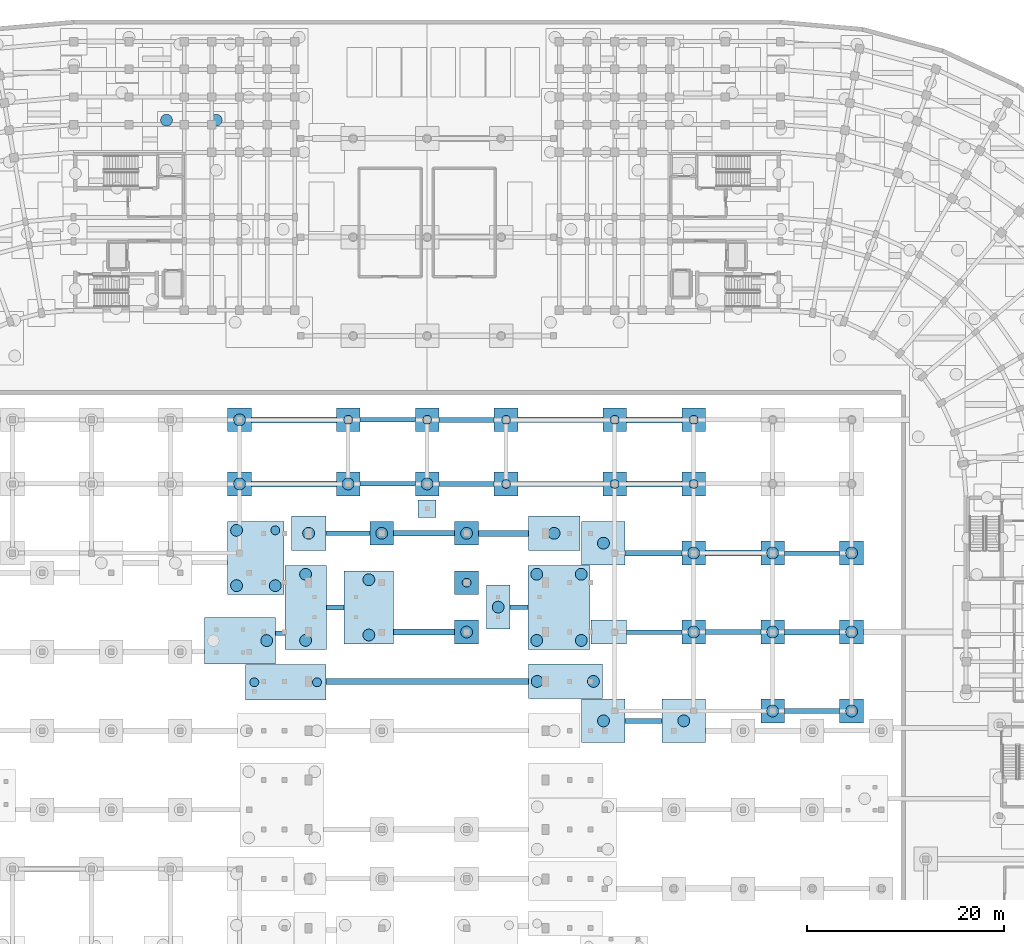
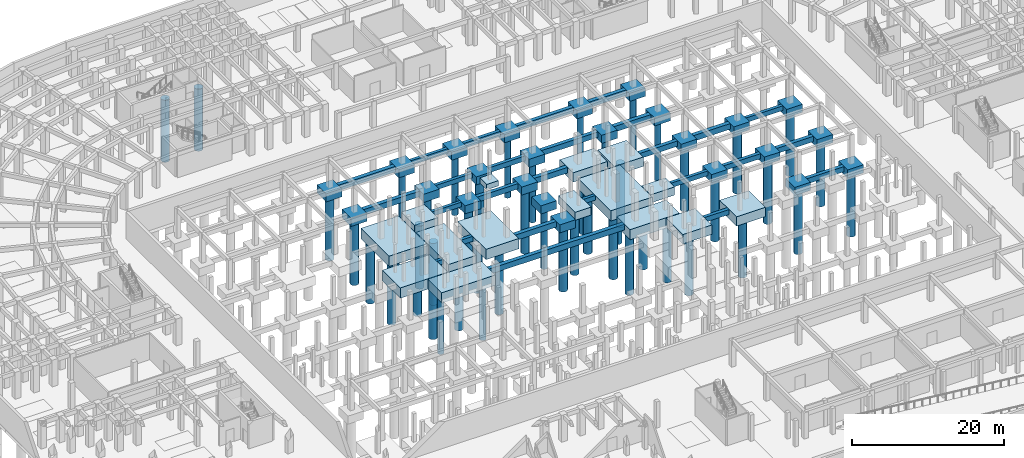
# One storey, part 8 of 53: 65 footings, 49 piles.
"""IFC4 building model written with IfcOpenShell, lengths in metres."""

from ifc_helpers import new_model, si_unit, direction, frame, origin, origin_2d, place, context, subcontext, project, spatial, rectangle, circle, extrude, material, material_profile, profile_set, type_object, element, save


model = new_model("IFC4")

# Units and contexts
model_context = context("Model", 3, precision=1e-05, world=origin(), true_north=direction((0.0, 1.0)))
body_context = subcontext(model_context, "Body", "Model", "MODEL_VIEW")
ifc_project = project(units=[si_unit("LENGTHUNIT", "METRE"), si_unit("AREAUNIT", "SQUARE_METRE"), si_unit("VOLUMEUNIT", "CUBIC_METRE"), si_unit("PLANEANGLEUNIT", "RADIAN"), si_unit("MASSUNIT", "GRAM", prefix="KILO")], contexts=[model_context])

# Site, building, storey
site_placement = place(None, origin())
site = spatial("IfcSite", under=ifc_project, at=site_placement, CompositionType="ELEMENT")
building_placement = place(site_placement, origin())
building = spatial("IfcBuilding", under=site, at=building_placement, Name="Kiranvali Square Residences", CompositionType="ELEMENT")
storey_placement = place(building_placement, frame((0.0, 0.0, -4.5)))
storey = spatial("IfcBuildingStorey", under=building, at=storey_placement, Name="B1", CompositionType="ELEMENT", Elevation=-4.5)

# Footings
ifc_material = material(Name="Concrete M40 (40 MPa)", Category="concrete")
footing_type_1 = type_object("IfcFootingType", Name="FTG-PAD_FOOTING-180x180x85", PredefinedType="PAD_FOOTING", material=ifc_material)
footing_1_placement = place(storey_placement, frame((84.0, 86.5, -1.35009765625), z_axis=(0.0, 0.0, 1.0), x_axis=(1.0, 0.0, 0.0)))
element("IfcFooting", 1, at=footing_1_placement, inside=storey, type_object=footing_type_1, Name="B1 pad footing 228", PredefinedType="PAD_FOOTING", context=body_context, shape_type="SweptSolid", body=[
    extrude(rectangle(XDim=1.800048828125, YDim=1.800048828125, at=origin_2d()), origin(), (0.0, 0.0, 1.0), 0.85009765625),
])
footing_type_2 = type_object("IfcFootingType", Name="FTG-PILE_CAP-240x240x130", PredefinedType="PILE_CAP", material=ifc_material)
for number, where, z_axis, x_axis, name in (
    (2, (119.0, 66.0, -1.7998046875), (0.0, 0.0, 1.0), (1.0, 0.0, 0.0), "B1 pile cap 170"),
    (3, (127.0, 66.0, -1.7998046875), (0.0, 0.0, 1.0), (1.0, 0.0, 0.0), "B1 pile cap 171"),
    (4, (88.0, 74.0, -1.7998046875), (0.0, 0.0, 1.0), (1.0, 0.0, 0.0), "B1 pile cap 197"),
    (5, (111.0, 74.0, -1.7998046875), (0.0, 0.0, 1.0), (1.0, 0.0, 0.0), "B1 pile cap 199"),
    (6, (119.0, 74.0, -1.7998046875), (0.0, 0.0, 1.0), (1.0, 0.0, 0.0), "B1 pile cap 200"),
    (7, (127.0, 74.0, -1.7998046875), (0.0, 0.0, 1.0), (1.0, 0.0, 0.0), "B1 pile cap 201"),
    (8, (88.0, 79.0, -1.7998046875), (0.0, 0.0, 1.0), (1.0, 0.0, 0.0), "B1 pile cap 204"),
    (9, (111.0, 82.0, -1.7998046875), (0.0, 0.0, 1.0), (1.0, 0.0, 0.0), "B1 pile cap 211"),
    (10, (119.0, 82.0, -1.7998046875), (0.0, 0.0, 1.0), (1.0, 0.0, 0.0), "B1 pile cap 212"),
    (11, (127.0, 82.0, -1.7998046875), (0.0, 0.0, 1.0), (1.0, 0.0, 0.0), "B1 pile cap 213"),
    (12, (79.39990234375, 84.0, -1.7998046875), (0.0, 0.0, 1.0), (1.0, 0.0, 0.0), "B1 pile cap 226"),
    (13, (88.0, 84.0, -1.7998046875), (0.0, 0.0, 1.0), (1.0, 0.0, 0.0), "B1 pile cap 227"),
    (14, (65.0, 89.0, -1.7998046875), (0.0, 0.0, 1.0), (1.0, 0.0, 0.0), "B1 pile cap 240"),
    (15, (76.0, 89.0, -1.7998046875), (0.0, 0.0, 1.0), (1.0, 0.0, 0.0), "B1 pile cap 241"),
    (16, (84.0, 89.0, -1.7998046875), (0.0, 0.0, 1.0), (1.0, 0.0, 0.0), "B1 pile cap 242"),
    (17, (92.0, 89.0, -1.7998046875), (0.0, 0.0, 1.0), (1.0, 0.0, 0.0), "B1 pile cap 243"),
    (18, (103.0, 89.0, -1.7998046875), (0.0, 0.0, 1.0), (1.0, 0.0, 0.0), "B1 pile cap 244"),
    (19, (111.0, 89.0, -1.7998046875), (0.0, 0.0, 1.0), (1.0, 0.0, 0.0), "B1 pile cap 245"),
    (20, (65.0, 95.5, -1.7998046875), (0.0, 0.0, 1.0), (1.0, 0.0, 0.0), "B1 pile cap 261"),
    (21, (76.0, 95.5, -1.7998046875), (0.0, 0.0, 1.0), (1.0, 0.0, 0.0), "B1 pile cap 262"),
    (22, (84.0, 95.5, -1.7998046875), (0.0, 0.0, 1.0), (1.0, 0.0, 0.0), "B1 pile cap 263"),
    (23, (92.0, 95.5, -1.7998046875), (0.0, 0.0, 1.0), (1.0, 0.0, 0.0), "B1 pile cap 264"),
    (24, (103.0, 95.5, -1.7998046875), (0.0, 0.0, 1.0), (1.0, 0.0, 0.0), "B1 pile cap 265"),
    (25, (111.0, 95.5, -1.7998046875), (0.0, 0.0, 1.0), (1.0, 0.0, 0.0), "B1 pile cap 266"),
):
    element("IfcFooting", number, at=place(storey_placement, frame(where, z_axis=z_axis, x_axis=x_axis)), inside=storey, type_object=footing_type_2, Name=name, PredefinedType="PILE_CAP", context=body_context, shape_type="SweptSolid", body=[
        extrude(rectangle(XDim=2.39990234375, YDim=2.39990234375, at=origin_2d()), origin(), (0.0, 0.0, 1.0), 1.300048828125),
    ])
footing_type_3 = type_object("IfcFootingType", Name="FTG-PILE_CAP-350x350x150", PredefinedType="PILE_CAP", material=ifc_material)
footing_2_placement = place(storey_placement, frame((72.0, 84.0, -2.0), z_axis=(0.0, 0.0, 1.0), x_axis=(1.0, 0.0, 0.0)))
element("IfcFooting", 26, at=footing_2_placement, inside=storey, type_object=footing_type_3, Name="B1 pile cap 221", PredefinedType="PILE_CAP", context=body_context, shape_type="SweptSolid", body=[
    extrude(rectangle(XDim=3.5, YDim=3.5, at=origin_2d()), origin(), (0.0, 0.0, 1.0), 1.5),
])
footing_type_4 = type_object("IfcFootingType", Name="FTG-PILE_CAP-362x240x130", PredefinedType="PILE_CAP", material=ifc_material)
footing_3_placement = place(storey_placement, frame((102.389892578125, 74.0, -1.7998046875), z_axis=(0.0, 0.0, 1.0), x_axis=(1.0, 0.0, 0.0)))
element("IfcFooting", 27, at=footing_3_placement, inside=storey, type_object=footing_type_4, Name="B1 pile cap 198", PredefinedType="PILE_CAP", context=body_context, shape_type="SweptSolid", body=[
    extrude(rectangle(XDim=3.6201171875, YDim=2.39990234375, at=origin_2d()), origin(), (0.0, 0.0, 1.0), 1.300048828125),
])
footing_type_5 = type_object("IfcFootingType", Name="FTG-PILE_CAP-440x440x150", PredefinedType="PILE_CAP", material=ifc_material)
for number, where, z_axis, x_axis, name in (
    (28, (101.864990234375, 65.0, -2.0), (0.0, 0.0, 1.0), (1.0, 0.0, 0.0), "B1 pile cap 160"),
    (29, (110.0, 65.0, -2.0), (0.0, 0.0, 1.0), (1.0, 0.0, 0.0), "B1 pile cap 161"),
    (30, (101.864990234375, 83.0, -2.0), (0.0, 0.0, 1.0), (1.0, 0.0, 0.0), "B1 pile cap 210"),
):
    element("IfcFooting", number, at=place(storey_placement, frame(where, z_axis=z_axis, x_axis=x_axis)), inside=storey, type_object=footing_type_5, Name=name, PredefinedType="PILE_CAP", context=body_context, shape_type="SweptSolid", body=[
        extrude(rectangle(XDim=4.39990234375, YDim=4.39990234375, at=origin_2d()), origin(), (0.0, 0.0, 1.0), 1.5),
    ])
footing_type_6 = type_object("IfcFootingType", Name="FTG-PILE_CAP-445x240x130", PredefinedType="PILE_CAP", material=ifc_material)
footing_4_placement = place(storey_placement, frame((91.199951171875, 76.52490234375, -1.7998046875), z_axis=(0.0, 0.0, 1.0), x_axis=(0.0, 1.0, 0.0)))
element("IfcFooting", 31, at=footing_4_placement, inside=storey, type_object=footing_type_6, Name="B1 pile cap 202", PredefinedType="PILE_CAP", context=body_context, shape_type="SweptSolid", body=[
    extrude(rectangle(XDim=4.449951171875, YDim=2.39990234375, at=origin_2d()), origin(), (0.0, 0.0, 1.0), 1.300048828125),
])
footing_type_7 = type_object("IfcFootingType", Name="FTG-PILE_CAP-522x350x150", PredefinedType="PILE_CAP", material=ifc_material)
footing_5_placement = place(storey_placement, frame((96.860107421875, 84.0, -2.0), z_axis=(0.0, 0.0, 1.0), x_axis=(1.0, 0.0, 0.0)))
element("IfcFooting", 32, at=footing_5_placement, inside=storey, type_object=footing_type_7, Name="B1 pile cap 222", PredefinedType="PILE_CAP", context=body_context, shape_type="SweptSolid", body=[
    extrude(rectangle(XDim=5.219970703125, YDim=3.5, at=origin_2d()), origin(), (0.0, 0.0, 1.0), 1.5),
])
footing_type_8 = type_object("IfcFootingType", Name="FTG-PILE_CAP-720x470x165", PredefinedType="PILE_CAP", material=ifc_material)
footing_6_placement = place(storey_placement, frame((65.050048828125, 73.1298828125, -2.14990234375), z_axis=(0.0, 0.0, 1.0), x_axis=(1.0, 0.0, 0.0)))
element("IfcFooting", 33, at=footing_6_placement, inside=storey, type_object=footing_type_8, Name="B1 pile cap 181", PredefinedType="PILE_CAP", context=body_context, shape_type="SweptSolid", body=[
    extrude(rectangle(XDim=7.199951171875, YDim=4.699951171875, at=origin_2d()), origin(), (0.0, 0.0, 1.0), 1.64990234375),
])
footing_type_9 = type_object("IfcFootingType", Name="FTG-PILE_CAP-740x500x165", PredefinedType="PILE_CAP", material=ifc_material)
footing_7_placement = place(storey_placement, frame((78.10009765625, 76.5, -2.14990234375), z_axis=(0.0, 0.0, 1.0), x_axis=(0.0, 1.0, 0.0)))
element("IfcFooting", 34, at=footing_7_placement, inside=storey, type_object=footing_type_9, Name="B1 pile cap 196", PredefinedType="PILE_CAP", context=body_context, shape_type="SweptSolid", body=[
    extrude(rectangle(XDim=7.39990234375, YDim=5.0, at=origin_2d()), origin(), (0.0, 0.0, 1.0), 1.64990234375),
])
footing_type_10 = type_object("IfcFootingType", Name="FTG-PILE_CAP-740x572x165", PredefinedType="PILE_CAP", material=ifc_material)
footing_8_placement = place(storey_placement, frame((66.659912109375, 81.5, -2.14990234375), z_axis=(0.0, 0.0, 1.0), x_axis=(0.0, 1.0, 0.0)))
element("IfcFooting", 35, at=footing_8_placement, inside=storey, type_object=footing_type_10, Name="B1 pile cap 203", PredefinedType="PILE_CAP", context=body_context, shape_type="SweptSolid", body=[
    extrude(rectangle(XDim=7.39990234375, YDim=5.719970703125, at=origin_2d()), origin(), (0.0, 0.0, 1.0), 1.64990234375),
])
footing_type_11 = type_object("IfcFootingType", Name="FTG-PILE_CAP-750x350x165", PredefinedType="PILE_CAP", material=ifc_material)
footing_9_placement = place(storey_placement, frame((98.0, 69.0, -2.14990234375), z_axis=(0.0, 0.0, 1.0), x_axis=(1.0, 0.0, 0.0)))
element("IfcFooting", 36, at=footing_9_placement, inside=storey, type_object=footing_type_11, Name="B1 pile cap 180", PredefinedType="PILE_CAP", context=body_context, shape_type="SweptSolid", body=[
    extrude(rectangle(XDim=7.5, YDim=3.5, at=origin_2d()), origin(), (0.0, 0.0, 1.0), 1.64990234375),
])
footing_type_12 = type_object("IfcFootingType", Name="FTG-PILE_CAP-815x362x165", PredefinedType="PILE_CAP", material=ifc_material)
footing_10_placement = place(storey_placement, frame((69.675048828125, 68.909912109375, -2.14990234375), z_axis=(0.0, 0.0, 1.0), x_axis=(1.0, 0.0, 0.0)))
element("IfcFooting", 37, at=footing_10_placement, inside=storey, type_object=footing_type_12, Name="B1 pile cap 179", PredefinedType="PILE_CAP", context=body_context, shape_type="SweptSolid", body=[
    extrude(rectangle(XDim=8.14990234375, YDim=3.6201171875, at=origin_2d()), origin(), (0.0, 0.0, 1.0), 1.64990234375),
])
footing_type_13 = type_object("IfcFootingType", Name="FTG-PILE_CAP-850x422x165", PredefinedType="PILE_CAP", material=ifc_material)
footing_11_placement = place(storey_placement, frame((71.68994140625, 76.5, -2.14990234375), z_axis=(0.0, 0.0, 1.0), x_axis=(0.0, 1.0, 0.0)))
element("IfcFooting", 38, at=footing_11_placement, inside=storey, type_object=footing_type_13, Name="B1 pile cap 186", PredefinedType="PILE_CAP", context=body_context, shape_type="SweptSolid", body=[
    extrude(rectangle(XDim=8.5, YDim=4.219970703125, at=origin_2d()), origin(), (0.0, 0.0, 1.0), 1.64990234375),
])
footing_type_14 = type_object("IfcFootingType", Name="FTG-PILE_CAP-850x632x165", PredefinedType="PILE_CAP", material=ifc_material)
footing_12_placement = place(storey_placement, frame((97.360107421875, 76.5, -2.14990234375), z_axis=(0.0, 0.0, 1.0), x_axis=(0.0, 1.0, 0.0)))
element("IfcFooting", 39, at=footing_12_placement, inside=storey, type_object=footing_type_14, Name="B1 pile cap 187", PredefinedType="PILE_CAP", context=body_context, shape_type="SweptSolid", body=[
    extrude(rectangle(XDim=8.5, YDim=6.320068359375, at=origin_2d()), origin(), (0.0, 0.0, 1.0), 1.64990234375),
])
ifc_material_profile_1 = material_profile(ifc_material, rectangle(XDim=0.449951171875, YDim=0.75, at=origin_2d()), Name="GB 450x750")
ifc_profile_set_1 = profile_set([ifc_material_profile_1], Name="Concrete M40 (40 MPa)")
footing_type_15 = type_object("IfcFootingType", Name="GB-M40-450x750", PredefinedType="FOOTING_BEAM", material=ifc_profile_set_1)
footing_13_placement = place(storey_placement, frame((68.64990234375, 73.864990234375, -0.875), z_axis=(1.0, 0.0, 0.0), x_axis=(0.0, 1.0, 0.0)))
element("IfcFooting", 40, at=footing_13_placement, inside=storey, type_object=footing_type_15, Name="Continuous foundation ground beam GB-140", PredefinedType="FOOTING_BEAM", context=body_context, shape_type="SweptSolid", body=[
    extrude(rectangle(XDim=0.449951171875, YDim=0.75, at=origin_2d()), origin(), (0.0, 0.0, 1.0), 0.93017578125),
])
footing_14_placement = place(storey_placement, frame((104.199951171875, 74.0, -0.875), z_axis=(1.0, 0.0, 0.0), x_axis=(0.0, 1.0, 0.0)))
element("IfcFooting", 41, at=footing_14_placement, inside=storey, type_object=footing_type_15, Name="Continuous foundation ground beam GB-152", PredefinedType="FOOTING_BEAM", context=body_context, shape_type="SweptSolid", body=[
    extrude(rectangle(XDim=0.449951171875, YDim=0.75, at=origin_2d()), origin(), (0.0, 0.0, 1.0), 5.60009765625),
])
footing_15_placement = place(storey_placement, frame((92.39990234375, 76.52490234375, -0.875), z_axis=(1.0, 0.0, 0.0), x_axis=(0.0, 1.0, 0.0)))
element("IfcFooting", 42, at=footing_15_placement, inside=storey, type_object=footing_type_15, Name="Continuous foundation ground beam GB-156", PredefinedType="FOOTING_BEAM", context=body_context, shape_type="SweptSolid", body=[
    extrude(rectangle(XDim=0.449951171875, YDim=0.75, at=origin_2d()), origin(), (0.0, 0.0, 1.0), 1.800048828125),
])
footing_16_placement = place(storey_placement, frame((120.199951171875, 82.0, -0.875), z_axis=(1.0, 0.0, 0.0), x_axis=(0.0, 1.0, 0.0)))
element("IfcFooting", 43, at=footing_16_placement, inside=storey, type_object=footing_type_15, Name="Continuous foundation ground beam GB-164", PredefinedType="FOOTING_BEAM", context=body_context, shape_type="SweptSolid", body=[
    extrude(rectangle(XDim=0.449951171875, YDim=0.75, at=origin_2d()), origin(), (0.0, 0.0, 1.0), 5.60009765625),
])
footing_17_placement = place(storey_placement, frame((73.75, 84.0, -0.875), z_axis=(1.0, 0.0, 0.0), x_axis=(0.0, 1.0, 0.0)))
element("IfcFooting", 44, at=footing_17_placement, inside=storey, type_object=footing_type_15, Name="Continuous foundation ground beam GB-168", PredefinedType="FOOTING_BEAM", context=body_context, shape_type="SweptSolid", body=[
    extrude(rectangle(XDim=0.449951171875, YDim=0.75, at=origin_2d()), origin(), (0.0, 0.0, 1.0), 4.449951171875),
])
for number, where, z_axis, x_axis, name in (
    (45, (77.199951171875, 89.0, -0.875), (1.0, 0.0, 0.0), (0.0, 1.0, 0.0), "Continuous foundation ground beam GB-180"),
    (46, (77.199951171875, 95.5, -0.875), (1.0, 0.0, 0.0), (0.0, 1.0, 0.0), "Continuous foundation ground beam GB-196"),
):
    element("IfcFooting", number, at=place(storey_placement, frame(where, z_axis=z_axis, x_axis=x_axis)), inside=storey, type_object=footing_type_15, Name=name, PredefinedType="FOOTING_BEAM", context=body_context, shape_type="SweptSolid", body=[
        extrude(rectangle(XDim=0.449951171875, YDim=0.75, at=origin_2d()), origin(), (0.0, 0.0, 1.0), 5.60009765625),
    ])
ifc_material_profile_2 = material_profile(ifc_material, rectangle(XDim=0.5, YDim=0.800048828125, at=origin_2d()), Name="GB 500x800")
ifc_profile_set_2 = profile_set([ifc_material_profile_2], Name="Concrete M40 (40 MPa)")
footing_type_16 = type_object("IfcFootingType", Name="GB-M40-500x800", PredefinedType="FOOTING_BEAM", material=ifc_profile_set_2)
footing_18_placement = place(storey_placement, frame((104.06494140625, 65.0, -0.89990234375), z_axis=(1.0, 0.0, 0.0), x_axis=(0.0, 1.0, 0.0)))
element("IfcFooting", 47, at=footing_18_placement, inside=storey, type_object=footing_type_16, Name="Continuous foundation ground beam GB-125", PredefinedType="FOOTING_BEAM", context=body_context, shape_type="SweptSolid", body=[
    extrude(rectangle(XDim=0.5, YDim=0.800048828125, at=origin_2d()), origin(), (0.0, 0.0, 1.0), 3.735107421875),
])
footing_19_placement = place(storey_placement, frame((73.800048828125, 76.5, -0.89990234375), z_axis=(1.0, 0.0, 0.0), x_axis=(0.0, 1.0, 0.0)))
element("IfcFooting", 48, at=footing_19_placement, inside=storey, type_object=footing_type_16, Name="Continuous foundation ground beam GB-145", PredefinedType="FOOTING_BEAM", context=body_context, shape_type="SweptSolid", body=[
    extrude(rectangle(XDim=0.5, YDim=0.800048828125, at=origin_2d()), origin(), (0.0, 0.0, 1.0), 1.800048828125),
])
for number, where, z_axis, x_axis, name in (
    (49, (112.199951171875, 74.0, -0.89990234375), (1.0, 0.0, 0.0), (0.0, 1.0, 0.0), "Continuous foundation ground beam GB-153"),
    (50, (85.199951171875, 89.0, -0.89990234375), (1.0, 0.0, 0.0), (0.0, 1.0, 0.0), "Continuous foundation ground beam GB-181"),
    (51, (85.199951171875, 95.5, -0.89990234375), (1.0, 0.0, 0.0), (0.0, 1.0, 0.0), "Continuous foundation ground beam GB-197"),
):
    element("IfcFooting", number, at=place(storey_placement, frame(where, z_axis=z_axis, x_axis=x_axis)), inside=storey, type_object=footing_type_16, Name=name, PredefinedType="FOOTING_BEAM", context=body_context, shape_type="SweptSolid", body=[
        extrude(rectangle(XDim=0.5, YDim=0.800048828125, at=origin_2d()), origin(), (0.0, 0.0, 1.0), 5.60009765625),
    ])
ifc_material_profile_3 = material_profile(ifc_material, rectangle(XDim=0.550048828125, YDim=0.85009765625, at=origin_2d()), Name="GB 550x850")
ifc_profile_set_3 = profile_set([ifc_material_profile_3], Name="Concrete M40 (40 MPa)")
footing_type_17 = type_object("IfcFootingType", Name="GB-M40-550x850", PredefinedType="FOOTING_BEAM", material=ifc_profile_set_3)
for number, where, z_axis, x_axis, name in (
    (52, (120.199951171875, 66.0, -0.925048828125), (1.0, 0.0, 0.0), (0.0, 1.0, 0.0), "Continuous foundation ground beam GB-134"),
    (53, (120.199951171875, 74.0, -0.925048828125), (1.0, 0.0, 0.0), (0.0, 1.0, 0.0), "Continuous foundation ground beam GB-154"),
):
    element("IfcFooting", number, at=place(storey_placement, frame(where, z_axis=z_axis, x_axis=x_axis)), inside=storey, type_object=footing_type_17, Name=name, PredefinedType="FOOTING_BEAM", context=body_context, shape_type="SweptSolid", body=[
        extrude(rectangle(XDim=0.550048828125, YDim=0.85009765625, at=origin_2d()), origin(), (0.0, 0.0, 1.0), 5.60009765625),
    ])
footing_20_placement = place(storey_placement, frame((104.06494140625, 82.0, -0.925048828125), z_axis=(1.0, 0.0, 0.0), x_axis=(0.0, 1.0, 0.0)))
element("IfcFooting", 54, at=footing_20_placement, inside=storey, type_object=footing_type_17, Name="Continuous foundation ground beam GB-162", PredefinedType="FOOTING_BEAM", context=body_context, shape_type="SweptSolid", body=[
    extrude(rectangle(XDim=0.550048828125, YDim=0.85009765625, at=origin_2d()), origin(), (0.0, 0.0, 1.0), 5.735107421875),
])
footing_21_placement = place(storey_placement, frame((80.60009765625, 84.0, -0.925048828125), z_axis=(1.0, 0.0, 0.0), x_axis=(0.0, 1.0, 0.0)))
element("IfcFooting", 55, at=footing_21_placement, inside=storey, type_object=footing_type_17, Name="Continuous foundation ground beam GB-170", PredefinedType="FOOTING_BEAM", context=body_context, shape_type="SweptSolid", body=[
    extrude(rectangle(XDim=0.550048828125, YDim=0.85009765625, at=origin_2d()), origin(), (0.0, 0.0, 1.0), 6.199951171875),
])
for number, where, z_axis, x_axis, name in (
    (56, (93.199951171875, 89.0, -0.925048828125), (1.0, 0.0, 0.0), (0.0, 1.0, 0.0), "Continuous foundation ground beam GB-182"),
    (57, (93.199951171875, 95.5, -0.925048828125), (1.0, 0.0, 0.0), (0.0, 1.0, 0.0), "Continuous foundation ground beam GB-198"),
):
    element("IfcFooting", number, at=place(storey_placement, frame(where, z_axis=z_axis, x_axis=x_axis)), inside=storey, type_object=footing_type_17, Name=name, PredefinedType="FOOTING_BEAM", context=body_context, shape_type="SweptSolid", body=[
        extrude(rectangle(XDim=0.550048828125, YDim=0.85009765625, at=origin_2d()), origin(), (0.0, 0.0, 1.0), 8.60009765625),
    ])
ifc_material_profile_4 = material_profile(ifc_material, rectangle(XDim=0.60009765625, YDim=0.89990234375, at=origin_2d()), Name="GB 600x900")
ifc_profile_set_4 = profile_set([ifc_material_profile_4], Name="Concrete M40 (40 MPa)")
footing_type_18 = type_object("IfcFootingType", Name="GB-M40-600x900", PredefinedType="FOOTING_BEAM", material=ifc_profile_set_4)
footing_22_placement = place(storey_placement, frame((73.75, 68.985107421875, -0.949951171875), z_axis=(1.0, 0.0, 0.0), x_axis=(0.0, 1.0, 0.0)))
element("IfcFooting", 58, at=footing_22_placement, inside=storey, type_object=footing_type_18, Name="Continuous foundation ground beam GB-139", PredefinedType="FOOTING_BEAM", context=body_context, shape_type="SweptSolid", body=[
    extrude(rectangle(XDim=0.60009765625, YDim=0.89990234375, at=origin_2d()), origin(), (0.0, 0.0, 1.0), 20.5),
])
footing_23_placement = place(storey_placement, frame((80.60009765625, 74.0, -0.949951171875), z_axis=(1.0, 0.0, 0.0), x_axis=(0.0, 1.0, 0.0)))
element("IfcFooting", 59, at=footing_23_placement, inside=storey, type_object=footing_type_18, Name="Continuous foundation ground beam GB-151", PredefinedType="FOOTING_BEAM", context=body_context, shape_type="SweptSolid", body=[
    extrude(rectangle(XDim=0.60009765625, YDim=0.89990234375, at=origin_2d()), origin(), (0.0, 0.0, 1.0), 6.199951171875),
])
footing_24_placement = place(storey_placement, frame((112.199951171875, 82.0, -0.949951171875), z_axis=(1.0, 0.0, 0.0), x_axis=(0.0, 1.0, 0.0)))
element("IfcFooting", 60, at=footing_24_placement, inside=storey, type_object=footing_type_18, Name="Continuous foundation ground beam GB-163", PredefinedType="FOOTING_BEAM", context=body_context, shape_type="SweptSolid", body=[
    extrude(rectangle(XDim=0.60009765625, YDim=0.89990234375, at=origin_2d()), origin(), (0.0, 0.0, 1.0), 5.60009765625),
])
footing_25_placement = place(storey_placement, frame((89.199951171875, 84.0, -0.949951171875), z_axis=(1.0, 0.0, 0.0), x_axis=(0.0, 1.0, 0.0)))
element("IfcFooting", 61, at=footing_25_placement, inside=storey, type_object=footing_type_18, Name="Continuous foundation ground beam GB-171", PredefinedType="FOOTING_BEAM", context=body_context, shape_type="SweptSolid", body=[
    extrude(rectangle(XDim=0.60009765625, YDim=0.89990234375, at=origin_2d()), origin(), (0.0, 0.0, 1.0), 5.050048828125),
])
footing_26_placement = place(storey_placement, frame((66.199951171875, 89.0, -0.949951171875), z_axis=(1.0, 0.0, 0.0), x_axis=(0.0, 1.0, 0.0)))
element("IfcFooting", 62, at=footing_26_placement, inside=storey, type_object=footing_type_18, Name="Continuous foundation ground beam GB-179", PredefinedType="FOOTING_BEAM", context=body_context, shape_type="SweptSolid", body=[
    extrude(rectangle(XDim=0.60009765625, YDim=0.89990234375, at=origin_2d()), origin(), (0.0, 0.0, 1.0), 8.60009765625),
])
footing_27_placement = place(storey_placement, frame((104.199951171875, 89.0, -0.949951171875), z_axis=(1.0, 0.0, 0.0), x_axis=(0.0, 1.0, 0.0)))
element("IfcFooting", 63, at=footing_27_placement, inside=storey, type_object=footing_type_18, Name="Continuous foundation ground beam GB-183", PredefinedType="FOOTING_BEAM", context=body_context, shape_type="SweptSolid", body=[
    extrude(rectangle(XDim=0.60009765625, YDim=0.89990234375, at=origin_2d()), origin(), (0.0, 0.0, 1.0), 5.60009765625),
])
footing_28_placement = place(storey_placement, frame((66.199951171875, 95.5, -0.949951171875), z_axis=(1.0, 0.0, 0.0), x_axis=(0.0, 1.0, 0.0)))
element("IfcFooting", 64, at=footing_28_placement, inside=storey, type_object=footing_type_18, Name="Continuous foundation ground beam GB-195", PredefinedType="FOOTING_BEAM", context=body_context, shape_type="SweptSolid", body=[
    extrude(rectangle(XDim=0.60009765625, YDim=0.89990234375, at=origin_2d()), origin(), (0.0, 0.0, 1.0), 8.60009765625),
])
footing_29_placement = place(storey_placement, frame((104.199951171875, 95.5, -0.949951171875), z_axis=(1.0, 0.0, 0.0), x_axis=(0.0, 1.0, 0.0)))
element("IfcFooting", 65, at=footing_29_placement, inside=storey, type_object=footing_type_18, Name="Continuous foundation ground beam GB-199", PredefinedType="FOOTING_BEAM", context=body_context, shape_type="SweptSolid", body=[
    extrude(rectangle(XDim=0.60009765625, YDim=0.89990234375, at=origin_2d()), origin(), (0.0, 0.0, 1.0), 5.60009765625),
])

# Piles
ifc_material_profile_5 = material_profile(ifc_material, circle(Radius=0.60009765625, at=origin_2d()), Name="BORED PILE 1200")
ifc_profile_set_5 = profile_set([ifc_material_profile_5], Name="Concrete M40 (40 MPa)")
pile_type_1 = type_object("IfcPileType", Name="PILE-BORED-1200", PredefinedType="BORED", material=ifc_profile_set_5)
for number, where, z_axis, x_axis, name in (
    (66, (101.864990234375, 65.0, -1.89990234375), (0.0, 0.0, -1.0), (1.0, 0.0, 0.0), "Bored basalt-socketed pile P-0220"),
    (67, (110.0, 65.0, -1.89990234375), (0.0, 0.0, -1.0), (1.0, 0.0, 0.0), "Bored basalt-socketed pile P-0221"),
):
    element("IfcPile", number, at=place(storey_placement, frame(where, z_axis=z_axis, x_axis=x_axis)), inside=storey, type_object=pile_type_1, Name=name, PredefinedType="BORED", context=body_context, shape_type="SweptSolid", body=[
        extrude(circle(Radius=0.60009765625, at=origin_2d()), origin(), (0.0, 0.0, 1.0), 10.10009765625),
    ])
for number, where, z_axis, x_axis, name in (
    (68, (119.0, 66.0, -1.699951171875), (0.0, 0.0, -1.0), (1.0, 0.0, 0.0), "Bored basalt-socketed pile P-0230"),
    (69, (127.0, 66.0, -1.699951171875), (0.0, 0.0, -1.0), (1.0, 0.0, 0.0), "Bored basalt-socketed pile P-0231"),
):
    element("IfcPile", number, at=place(storey_placement, frame(where, z_axis=z_axis, x_axis=x_axis)), inside=storey, type_object=pile_type_1, Name=name, PredefinedType="BORED", context=body_context, shape_type="SweptSolid", body=[
        extrude(circle(Radius=0.60009765625, at=origin_2d()), origin(), (0.0, 0.0, 1.0), 10.300048828125),
    ])
for number, where, z_axis, x_axis, name in (
    (70, (95.14990234375, 69.0, -2.050048828125), (0.0, 0.0, -1.0), (1.0, 0.0, 0.0), "Bored basalt-socketed pile P-0246"),
    (71, (100.85009765625, 69.0, -2.050048828125), (0.0, 0.0, -1.0), (1.0, 0.0, 0.0), "Bored basalt-socketed pile P-0247"),
    (72, (67.75, 73.1298828125, -2.050048828125), (0.0, 0.0, -1.0), (1.0, 0.0, 0.0), "Bored basalt-socketed pile P-0249"),
    (73, (71.68994140625, 73.14990234375, -2.050048828125), (0.0, 0.0, -1.0), (1.0, 0.0, 0.0), "Bored basalt-socketed pile P-0254"),
    (74, (71.68994140625, 79.85009765625, -2.050048828125), (0.0, 0.0, -1.0), (1.0, 0.0, 0.0), "Bored basalt-socketed pile P-0255"),
    (75, (95.10009765625, 73.14990234375, -2.050048828125), (0.0, 0.0, -1.0), (1.0, 0.0, 0.0), "Bored basalt-socketed pile P-0256"),
    (76, (95.10009765625, 79.85009765625, -2.050048828125), (0.0, 0.0, -1.0), (1.0, 0.0, 0.0), "Bored basalt-socketed pile P-0257"),
    (77, (99.6201171875, 73.14990234375, -2.050048828125), (0.0, 0.0, -1.0), (1.0, 0.0, 0.0), "Bored basalt-socketed pile P-0258"),
    (78, (99.6201171875, 79.85009765625, -2.050048828125), (0.0, 0.0, -1.0), (1.0, 0.0, 0.0), "Bored basalt-socketed pile P-0259"),
    (79, (78.10009765625, 73.699951171875, -2.050048828125), (0.0, 0.0, -1.0), (1.0, 0.0, 0.0), "Bored basalt-socketed pile P-0276"),
    (80, (78.10009765625, 79.300048828125, -2.050048828125), (0.0, 0.0, -1.0), (1.0, 0.0, 0.0), "Bored basalt-socketed pile P-0277"),
):
    element("IfcPile", number, at=place(storey_placement, frame(where, z_axis=z_axis, x_axis=x_axis)), inside=storey, type_object=pile_type_1, Name=name, PredefinedType="BORED", context=body_context, shape_type="SweptSolid", body=[
        extrude(circle(Radius=0.60009765625, at=origin_2d()), origin(), (0.0, 0.0, 1.0), 9.949951171875),
    ])
for number, where, z_axis, x_axis, name in (
    (81, (88.0, 74.0, -1.699951171875), (0.0, 0.0, -1.0), (1.0, 0.0, 0.0), "Bored basalt-socketed pile P-0278"),
    (82, (111.0, 74.0, -1.699951171875), (0.0, 0.0, -1.0), (1.0, 0.0, 0.0), "Bored basalt-socketed pile P-0279"),
    (83, (119.0, 74.0, -1.699951171875), (0.0, 0.0, -1.0), (1.0, 0.0, 0.0), "Bored basalt-socketed pile P-0280"),
    (84, (127.0, 74.0, -1.699951171875), (0.0, 0.0, -1.0), (1.0, 0.0, 0.0), "Bored basalt-socketed pile P-0281"),
    (85, (91.199951171875, 76.52490234375, -1.699951171875), (0.0, 0.0, -1.0), (1.0, 0.0, 0.0), "Bored basalt-socketed pile P-0282"),
):
    element("IfcPile", number, at=place(storey_placement, frame(where, z_axis=z_axis, x_axis=x_axis)), inside=storey, type_object=pile_type_1, Name=name, PredefinedType="BORED", context=body_context, shape_type="SweptSolid", body=[
        extrude(circle(Radius=0.60009765625, at=origin_2d()), origin(), (0.0, 0.0, 1.0), 10.300048828125),
    ])
for number, where, z_axis, x_axis, name in (
    (86, (64.699951171875, 78.699951171875, -2.050048828125), (0.0, 0.0, -1.0), (1.0, 0.0, 0.0), "Bored basalt-socketed pile P-0283"),
    (87, (64.699951171875, 84.300048828125, -2.050048828125), (0.0, 0.0, -1.0), (1.0, 0.0, 0.0), "Bored basalt-socketed pile P-0284"),
    (88, (68.6201171875, 78.699951171875, -2.050048828125), (0.0, 0.0, -1.0), (1.0, 0.0, 0.0), "Bored basalt-socketed pile P-0285"),
):
    element("IfcPile", number, at=place(storey_placement, frame(where, z_axis=z_axis, x_axis=x_axis)), inside=storey, type_object=pile_type_1, Name=name, PredefinedType="BORED", context=body_context, shape_type="SweptSolid", body=[
        extrude(circle(Radius=0.60009765625, at=origin_2d()), origin(), (0.0, 0.0, 1.0), 9.949951171875),
    ])
pile_placement = place(storey_placement, frame((101.864990234375, 83.0, -1.89990234375), z_axis=(0.0, 0.0, -1.0), x_axis=(1.0, 0.0, 0.0)))
element("IfcPile", 89, at=pile_placement, inside=storey, type_object=pile_type_1, Name="Bored basalt-socketed pile P-0293", PredefinedType="BORED", context=body_context, shape_type="SweptSolid", body=[
    extrude(circle(Radius=0.60009765625, at=origin_2d()), origin(), (0.0, 0.0, 1.0), 10.10009765625),
])
for number, where, z_axis, x_axis, name in (
    (90, (111.0, 82.0, -1.699951171875), (0.0, 0.0, -1.0), (1.0, 0.0, 0.0), "Bored basalt-socketed pile P-0294"),
    (91, (119.0, 82.0, -1.699951171875), (0.0, 0.0, -1.0), (1.0, 0.0, 0.0), "Bored basalt-socketed pile P-0295"),
    (92, (127.0, 82.0, -1.699951171875), (0.0, 0.0, -1.0), (1.0, 0.0, 0.0), "Bored basalt-socketed pile P-0296"),
):
    element("IfcPile", number, at=place(storey_placement, frame(where, z_axis=z_axis, x_axis=x_axis)), inside=storey, type_object=pile_type_1, Name=name, PredefinedType="BORED", context=body_context, shape_type="SweptSolid", body=[
        extrude(circle(Radius=0.60009765625, at=origin_2d()), origin(), (0.0, 0.0, 1.0), 10.300048828125),
    ])
for number, where, z_axis, x_axis, name in (
    (93, (72.0, 84.0, -1.89990234375), (0.0, 0.0, -1.0), (1.0, 0.0, 0.0), "Bored basalt-socketed pile P-0305"),
    (94, (96.860107421875, 84.0, -1.89990234375), (0.0, 0.0, -1.0), (1.0, 0.0, 0.0), "Bored basalt-socketed pile P-0306"),
):
    element("IfcPile", number, at=place(storey_placement, frame(where, z_axis=z_axis, x_axis=x_axis)), inside=storey, type_object=pile_type_1, Name=name, PredefinedType="BORED", context=body_context, shape_type="SweptSolid", body=[
        extrude(circle(Radius=0.60009765625, at=origin_2d()), origin(), (0.0, 0.0, 1.0), 10.10009765625),
    ])
for number, where, z_axis, x_axis, name in (
    (95, (79.39990234375, 84.0, -1.699951171875), (0.0, 0.0, -1.0), (1.0, 0.0, 0.0), "Bored basalt-socketed pile P-0311"),
    (96, (88.0, 84.0, -1.699951171875), (0.0, 0.0, -1.0), (1.0, 0.0, 0.0), "Bored basalt-socketed pile P-0312"),
    (97, (65.0, 89.0, -1.699951171875), (0.0, 0.0, -1.0), (1.0, 0.0, 0.0), "Bored basalt-socketed pile P-0326"),
    (98, (76.0, 89.0, -1.699951171875), (0.0, 0.0, -1.0), (1.0, 0.0, 0.0), "Bored basalt-socketed pile P-0327"),
    (99, (84.0, 89.0, -1.699951171875), (0.0, 0.0, -1.0), (1.0, 0.0, 0.0), "Bored basalt-socketed pile P-0328"),
    (100, (65.0, 95.5, -1.699951171875), (0.0, 0.0, -1.0), (1.0, 0.0, 0.0), "Bored basalt-socketed pile P-0353"),
):
    element("IfcPile", number, at=place(storey_placement, frame(where, z_axis=z_axis, x_axis=x_axis)), inside=storey, type_object=pile_type_1, Name=name, PredefinedType="BORED", context=body_context, shape_type="SweptSolid", body=[
        extrude(circle(Radius=0.60009765625, at=origin_2d()), origin(), (0.0, 0.0, 1.0), 10.300048828125),
    ])
for number, where, z_axis, x_axis, name in (
    (101, (57.60009765625, 125.85009765625, -2.050048828125), (0.0, 0.0, -1.0), (1.0, 0.0, 0.0), "Bored basalt-socketed pile P-0448"),
    (102, (62.64990234375, 125.85009765625, -2.050048828125), (0.0, 0.0, -1.0), (1.0, 0.0, 0.0), "Bored basalt-socketed pile P-0450"),
):
    element("IfcPile", number, at=place(storey_placement, frame(where, z_axis=z_axis, x_axis=x_axis)), inside=storey, type_object=pile_type_1, Name=name, PredefinedType="BORED", context=body_context, shape_type="SweptSolid", body=[
        extrude(circle(Radius=0.60009765625, at=origin_2d()), origin(), (0.0, 0.0, 1.0), 9.949951171875),
    ])
ifc_material_profile_6 = material_profile(ifc_material, circle(Radius=0.449951171875, at=origin_2d()), Name="BORED PILE 900")
ifc_profile_set_6 = profile_set([ifc_material_profile_6], Name="Concrete M40 (40 MPa)")
pile_type_2 = type_object("IfcPileType", Name="PILE-BORED-900", PredefinedType="BORED", material=ifc_profile_set_6)
for number, where, z_axis, x_axis, name in (
    (103, (66.5, 68.909912109375, -2.050048828125), (0.0, 0.0, -1.0), (1.0, 0.0, 0.0), "Bored basalt-socketed pile P-0244"),
    (104, (72.85009765625, 68.909912109375, -2.050048828125), (0.0, 0.0, -1.0), (1.0, 0.0, 0.0), "Bored basalt-socketed pile P-0245"),
    (105, (68.6201171875, 84.300048828125, -2.050048828125), (0.0, 0.0, -1.0), (1.0, 0.0, 0.0), "Bored basalt-socketed pile P-0286"),
):
    element("IfcPile", number, at=place(storey_placement, frame(where, z_axis=z_axis, x_axis=x_axis)), inside=storey, type_object=pile_type_2, Name=name, PredefinedType="BORED", context=body_context, shape_type="SweptSolid", body=[
        extrude(circle(Radius=0.449951171875, at=origin_2d()), origin(), (0.0, 0.0, 1.0), 9.449951171875),
    ])
for number, where, z_axis, x_axis, name in (
    (106, (88.0, 79.0, -1.699951171875), (0.0, 0.0, -1.0), (1.0, 0.0, 0.0), "Bored basalt-socketed pile P-0287"),
    (107, (92.0, 89.0, -1.699951171875), (0.0, 0.0, -1.0), (1.0, 0.0, 0.0), "Bored basalt-socketed pile P-0329"),
    (108, (103.0, 89.0, -1.699951171875), (0.0, 0.0, -1.0), (1.0, 0.0, 0.0), "Bored basalt-socketed pile P-0330"),
    (109, (111.0, 89.0, -1.699951171875), (0.0, 0.0, -1.0), (1.0, 0.0, 0.0), "Bored basalt-socketed pile P-0331"),
    (110, (76.0, 95.5, -1.699951171875), (0.0, 0.0, -1.0), (1.0, 0.0, 0.0), "Bored basalt-socketed pile P-0354"),
    (111, (84.0, 95.5, -1.699951171875), (0.0, 0.0, -1.0), (1.0, 0.0, 0.0), "Bored basalt-socketed pile P-0355"),
    (112, (92.0, 95.5, -1.699951171875), (0.0, 0.0, -1.0), (1.0, 0.0, 0.0), "Bored basalt-socketed pile P-0356"),
    (113, (103.0, 95.5, -1.699951171875), (0.0, 0.0, -1.0), (1.0, 0.0, 0.0), "Bored basalt-socketed pile P-0357"),
    (114, (111.0, 95.5, -1.699951171875), (0.0, 0.0, -1.0), (1.0, 0.0, 0.0), "Bored basalt-socketed pile P-0358"),
):
    element("IfcPile", number, at=place(storey_placement, frame(where, z_axis=z_axis, x_axis=x_axis)), inside=storey, type_object=pile_type_2, Name=name, PredefinedType="BORED", context=body_context, shape_type="SweptSolid", body=[
        extrude(circle(Radius=0.449951171875, at=origin_2d()), origin(), (0.0, 0.0, 1.0), 9.800048828125),
    ])

save(model, "model.ifc")
